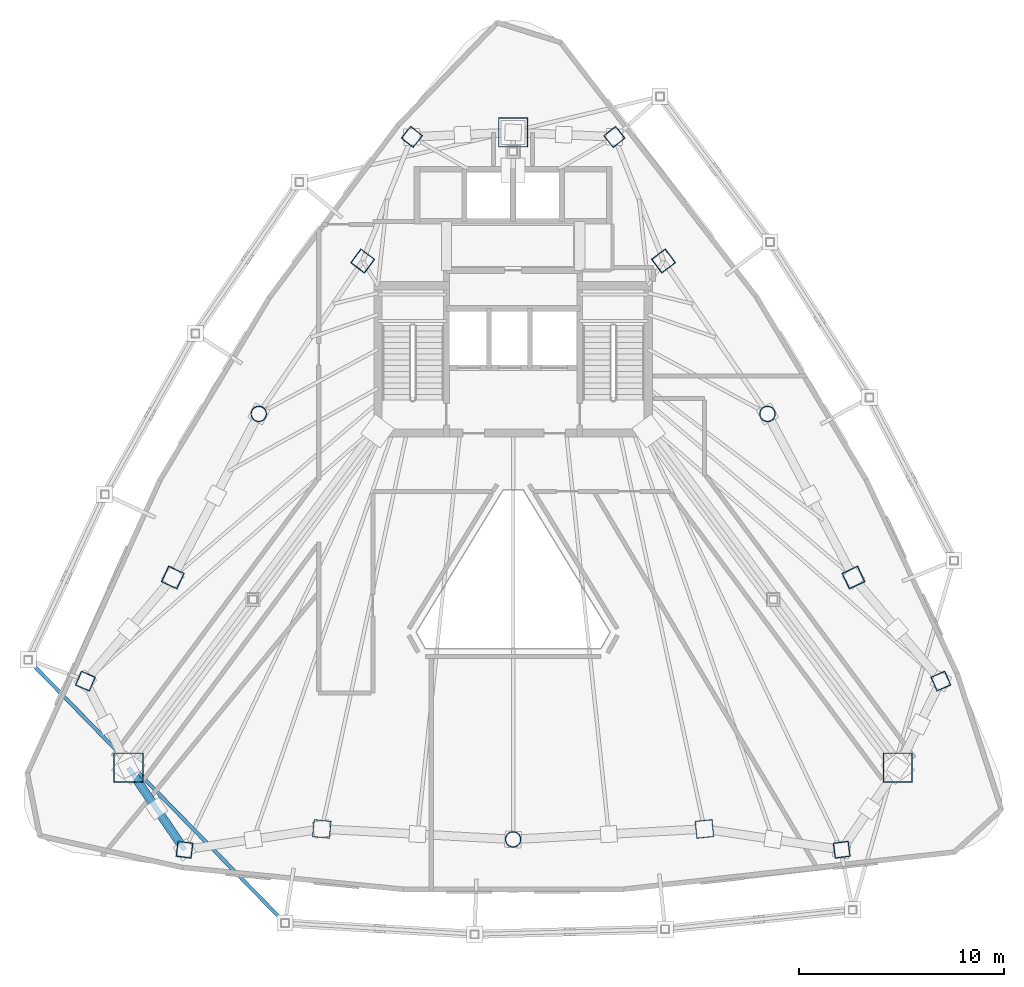
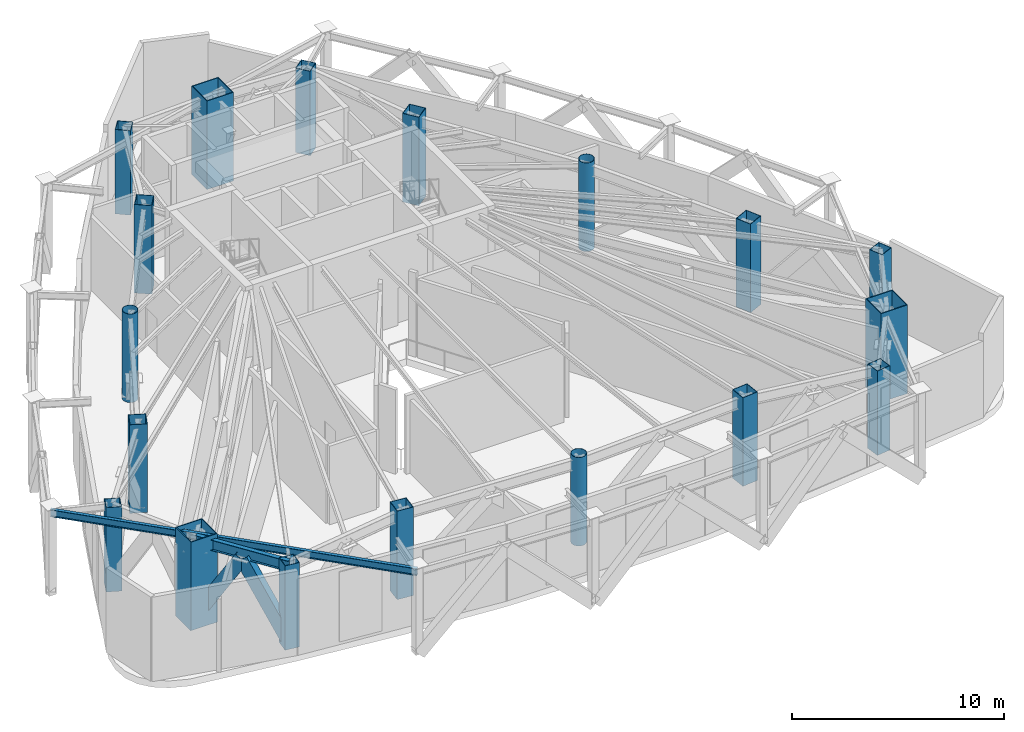
# One storey, part 1 of 10: 18 columns, 2 beams, 2 members.
"""IFC4 building model written with IfcOpenShell, lengths in metres."""

from ifc_helpers import new_model, si_unit, direction, frame, origin, origin_2d, place, context, subcontext, project, spatial, hollow_rectangle, hollow_circle, i_section, extrude, material, material_profile, profile_set, type_object, element, save


model = new_model("IFC4")

# Units and contexts
model_context = context("Model", 3, precision=1e-05, world=origin(), true_north=direction((0.0, 1.0)))
body_context = subcontext(model_context, "Body", "Model", "MODEL_VIEW")
ifc_project = project(units=[si_unit("LENGTHUNIT", "METRE"), si_unit("AREAUNIT", "SQUARE_METRE"), si_unit("VOLUMEUNIT", "CUBIC_METRE"), si_unit("PLANEANGLEUNIT", "RADIAN"), si_unit("MASSUNIT", "GRAM", prefix="KILO")], contexts=[model_context])

# Site, building, storey
site_placement = place(None, origin())
site = spatial("IfcSite", under=ifc_project, at=site_placement, CompositionType="ELEMENT")
building_placement = place(site_placement, origin())
building = spatial("IfcBuilding", under=site, at=building_placement, Name="Orvanel Arch Residences", CompositionType="ELEMENT")
storey_placement = place(building_placement, frame((0.0, 0.0, 191.300048828125)))
storey = spatial("IfcBuildingStorey", under=building, at=storey_placement, Name="L54", CompositionType="ELEMENT", Elevation=191.300048828125)

# Columns
ifc_material_1 = material(Name="Structural steel AS/NZS 1163 C450L0 (Grade 450)", Category="steel")
ifc_material_profile_1 = material_profile(ifc_material_1, hollow_circle(Radius=0.381103515625, WallThickness=0.02197265625, at=origin_2d()), Name="CHS762x22")
ifc_profile_set_1 = profile_set([ifc_material_profile_1], Name="Structural steel AS/NZS 1163 C450L0 (Grade 450)")
column_type_1 = type_object("IfcColumnType", Name="CC-762", PredefinedType="COLUMN", material=ifc_profile_set_1)
for number, where, z_axis, x_axis, name in (
    (1, (20.569091796875, 27.64111328125, 0.0), (0.0, 0.0, 1.0), (1.0, 0.0, 0.0), "L54 High-Rise Tube Column 02"),
    (2, (33.0, 6.843994140625, 0.0), (0.0, 0.0, 1.0), (1.0, 0.0, 0.0), "L54 High-Rise Tube Column 05"),
    (3, (45.430908203125, 27.64111328125, 0.0), (0.0, 0.0, 1.0), (1.0, 0.0, 0.0), "L54 High-Rise Tube Column 08"),
):
    element("IfcColumn", number, at=place(storey_placement, frame(where, z_axis=z_axis, x_axis=x_axis)), inside=storey, type_object=column_type_1, Name=name, PredefinedType="COLUMN", context=body_context, shape_type="SweptSolid", body=[
        extrude(hollow_circle(Radius=0.381103515625, WallThickness=0.02197265625, at=origin_2d()), origin(), (0.0, 0.0, 1.0), 5.099853515625),
    ])
ifc_material_2 = material(Name="Structural steel AS/NZS 3678 Grade 450", Category="steel")
ifc_material_profile_2 = material_profile(ifc_material_2, hollow_rectangle(XDim=1.449951171875, YDim=1.449951171875, WallThickness=0.044921875, at=origin_2d()), Name="BOX1450x1450x45")
ifc_profile_set_2 = profile_set([ifc_material_profile_2], Name="Structural steel AS/NZS 3678 Grade 450")
column_type_2 = type_object("IfcColumnType", Name="MC-1450", PredefinedType="COLUMN", material=ifc_profile_set_2)
for number, where, z_axis, x_axis, name in (
    (4, (33.0, 41.39794921875, 0.0), (0.0, 0.0, 1.0), (1.0, 0.0, 0.0), "L54 Corner Mega-Column 1"),
    (5, (14.198974609375, 10.35107421875, 0.0), (0.0, 0.0, 1.0), (1.0, 0.0, 0.0), "L54 Corner Mega-Column 2"),
    (6, (51.801025390625, 10.35107421875, 0.0), (0.0, 0.0, 1.0), (1.0, 0.0, 0.0), "L54 Corner Mega-Column 3"),
):
    element("IfcColumn", number, at=place(storey_placement, frame(where, z_axis=z_axis, x_axis=x_axis)), inside=storey, type_object=column_type_2, Name=name, PredefinedType="COLUMN", context=body_context, shape_type="SweptSolid", body=[
        extrude(hollow_rectangle(XDim=1.449951171875, YDim=1.449951171875, WallThickness=0.044921875, at=origin_2d()), origin(), (0.0, 0.0, 1.0), 5.099853515625),
    ])
ifc_material_3 = material(Name="Structural steel AS/NZS 3678 Grade 350", Category="steel")
ifc_material_profile_3 = material_profile(ifc_material_3, hollow_rectangle(XDim=0.75, YDim=0.75, WallThickness=0.02490234375, at=origin_2d()), Name="BOX750x750x25")
ifc_profile_set_3 = profile_set([ifc_material_profile_3], Name="Structural steel AS/NZS 3678 Grade 350")
column_type_3 = type_object("IfcColumnType", Name="TC-750", PredefinedType="COLUMN", material=ifc_profile_set_3)
for number, where, z_axis, x_axis, name in (
    (7, (28.050048828125, 41.177978515625, 0.0), (0.0, 0.0, 1.0), (0.623879596709, 0.781520472419, 0.0), "L54 Mid-Rise Buttress Tube Column 01"),
    (8, (12.094970703125, 14.580078125, 0.0), (0.0, 0.0, 1.0), (0.397147890635, 0.917754625684, 0.0), "L54 Mid-Rise Buttress Tube Column 02"),
    (9, (16.94091796875, 6.339111328125, 0.0), (0.0, 0.0, 1.0), (-0.99189444259, 0.127064608601, 0.0), "L54 Mid-Rise Buttress Tube Column 03"),
    (10, (49.05908203125, 6.339111328125, 0.0), (0.0, 0.0, 1.0), (0.99189444259, 0.127064608601, 0.0), "L54 Mid-Rise Buttress Tube Column 04"),
    (11, (53.905029296875, 14.580078125, 0.0), (0.0, 0.0, 1.0), (-0.397147890635, 0.917754625684, 0.0), "L54 Mid-Rise Buttress Tube Column 05"),
    (12, (37.949951171875, 41.177978515625, 0.0), (0.0, 0.0, 1.0), (-0.623879596709, 0.781520472419, 0.0), "L54 Mid-Rise Buttress Tube Column 06"),
):
    element("IfcColumn", number, at=place(storey_placement, frame(where, z_axis=z_axis, x_axis=x_axis)), inside=storey, type_object=column_type_3, Name=name, PredefinedType="COLUMN", context=body_context, shape_type="SweptSolid", body=[
        extrude(hollow_rectangle(XDim=0.75, YDim=0.75, WallThickness=0.02490234375, at=origin_2d()), origin(), (0.0, 0.0, 1.0), 4.85986328125),
    ])
ifc_material_profile_4 = material_profile(ifc_material_3, hollow_rectangle(XDim=0.85009765625, YDim=0.85009765625, WallThickness=0.028076171875, at=origin_2d()), Name="BOX850x850x28")
ifc_profile_set_4 = profile_set([ifc_material_profile_4], Name="Structural steel AS/NZS 3678 Grade 350")
column_type_4 = type_object("IfcColumnType", Name="TC-850", PredefinedType="COLUMN", material=ifc_profile_set_4)
for number, where, z_axis, x_axis, name in (
    (13, (25.64794921875, 35.113037109375, 0.0), (0.0, 0.0, 1.0), (0.600420225326, 0.799684658487, 0.0), "L54 High-Rise Tube Column 01"),
    (14, (16.366943359375, 19.64208984375, 0.0), (0.0, 0.0, 1.0), (0.422618261741, 0.906307787037, 0.0), "L54 High-Rise Tube Column 03"),
    (15, (23.64892578125, 7.35498046875, 0.0), (0.0, 0.0, 1.0), (-0.994880708829, 0.101056297183, 0.0), "L54 High-Rise Tube Column 04"),
    (16, (42.35107421875, 7.35498046875, 0.0), (0.0, 0.0, 1.0), (0.994880708829, 0.101056297183, 0.0), "L54 High-Rise Tube Column 06"),
    (17, (49.633056640625, 19.64208984375, 0.0), (0.0, 0.0, 1.0), (-0.422618261741, 0.906307787037, 0.0), "L54 High-Rise Tube Column 07"),
    (18, (40.35205078125, 35.113037109375, 0.0), (0.0, 0.0, 1.0), (-0.600420225326, 0.799684658487, 0.0), "L54 High-Rise Tube Column 09"),
):
    element("IfcColumn", number, at=place(storey_placement, frame(where, z_axis=z_axis, x_axis=x_axis)), inside=storey, type_object=column_type_4, Name=name, PredefinedType="COLUMN", context=body_context, shape_type="SweptSolid", body=[
        extrude(hollow_rectangle(XDim=0.85009765625, YDim=0.85009765625, WallThickness=0.028076171875, at=origin_2d()), origin(), (0.0, 0.0, 1.0), 5.099853515625),
    ])

# Members
ifc_material_profile_5 = material_profile(ifc_material_3, hollow_rectangle(XDim=0.419921875, YDim=0.719970703125, WallThickness=0.02490234375, at=origin_2d()), Name="RHS720x420x25")
ifc_profile_set_5 = profile_set([ifc_material_profile_5], Name="Structural steel AS/NZS 3678 Grade 350")
member_type = type_object("IfcMemberType", Name="BR-720RHS", PredefinedType="BRACE", material=ifc_profile_set_5)
member_1_placement = place(storey_placement, frame((14.198974609375, 10.35107421875, 0.300048828125), z_axis=(0.292421015586, -0.427853184663, 0.855237745903), x_axis=(0.825595495301, 0.56426241957, 0.0)))
element("IfcMember", 19, at=member_1_placement, inside=storey, type_object=member_type, Name="L54 Belt-Truss Chevron 03.1", PredefinedType="BRACE", context=body_context, shape_type="SweptSolid", body=[
    extrude(hollow_rectangle(XDim=0.419921875, YDim=0.719970703125, WallThickness=0.02490234375, at=origin_2d()), origin(), (0.0, 0.0, 1.0), 4.688720703125),
])
member_2_placement = place(storey_placement, frame((16.94091796875, 6.339111328125, 0.300048828125), z_axis=(-0.29237991119, 0.427817159454, 0.855269820355), x_axis=(-0.825610313036, -0.564240738522, 0.0)))
element("IfcMember", 20, at=member_2_placement, inside=storey, type_object=member_type, Name="L54 Belt-Truss Chevron 03.2", PredefinedType="BRACE", context=body_context, shape_type="SweptSolid", body=[
    extrude(hollow_rectangle(XDim=0.419921875, YDim=0.719970703125, WallThickness=0.02490234375, at=origin_2d()), origin(), (0.0, 0.0, 1.0), 4.6884765625),
])

# Beams
ifc_material_4 = material(Name="Structural steel AS/NZS 3679.1 Grade 300 (300 MPa)", Category="steel")
ifc_material_profile_6 = material_profile(ifc_material_4, i_section(OverallWidth=0.177978515625, OverallDepth=0.406005859375, WebThickness=0.0078125, FlangeThickness=0.0126953125, at=origin_2d()), Name="410UB59.7")
ifc_profile_set_6 = profile_set([ifc_material_profile_6], Name="Structural steel AS/NZS 3679.1 Grade 300 (300 MPa)")
beam_type_1 = type_object("IfcBeamType", Name="OB-410UB-EXT", PredefinedType="SPANDREL", material=ifc_profile_set_6)
beam_1_placement = place(storey_placement, frame((9.299072265625, 15.616943359375, 4.656982421875), z_axis=(0.698516185218, -0.715594255838, 0.0), x_axis=(0.715594255838, 0.698516185218, 0.0)))
element("IfcBeam", 21, at=beam_1_placement, inside=storey, type_object=beam_type_1, Name="L54 Outer Perimeter Floor Ring Beam 04", PredefinedType="SPANDREL", context=body_context, shape_type="SweptSolid", body=[
    extrude(i_section(OverallWidth=0.177978515625, OverallDepth=0.406005859375, WebThickness=0.0078125, FlangeThickness=0.0126953125, at=origin_2d()), origin(), (0.0, 0.0, 1.0), 17.969482421875),
])
ifc_material_profile_7 = material_profile(ifc_material_4, i_section(OverallWidth=0.22900390625, OverallDepth=0.612060546875, WebThickness=0.011962890625, FlangeThickness=0.01953125, at=origin_2d()), Name="610UB125")
ifc_profile_set_7 = profile_set([ifc_material_profile_7], Name="Structural steel AS/NZS 3679.1 Grade 300 (300 MPa)")
beam_type_2 = type_object("IfcBeamType", Name="SP-610UB", PredefinedType="SPANDREL", material=ifc_profile_set_7)
beam_2_placement = place(storey_placement, frame((14.198974609375, 10.35107421875, 4.553955078125), z_axis=(0.564251579852, -0.825602903722, 0.0), x_axis=(0.825602903722, 0.564251579852, 0.0)))
element("IfcBeam", 22, at=beam_2_placement, inside=storey, type_object=beam_type_2, Name="L54 Perimeter Spandrel Beam 03", PredefinedType="SPANDREL", context=body_context, shape_type="SweptSolid", body=[
    extrude(i_section(OverallWidth=0.22900390625, OverallDepth=0.612060546875, WebThickness=0.011962890625, FlangeThickness=0.01953125, at=origin_2d()), origin(), (0.0, 0.0, 1.0), 4.859375),
])

save(model, "model.ifc")
